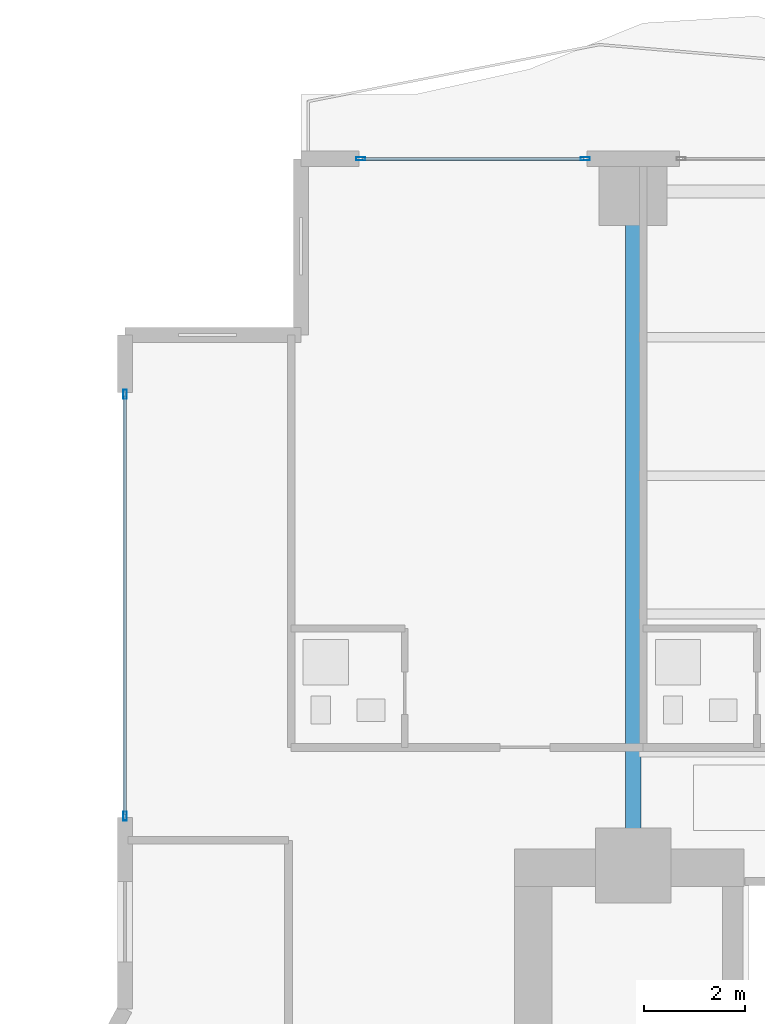
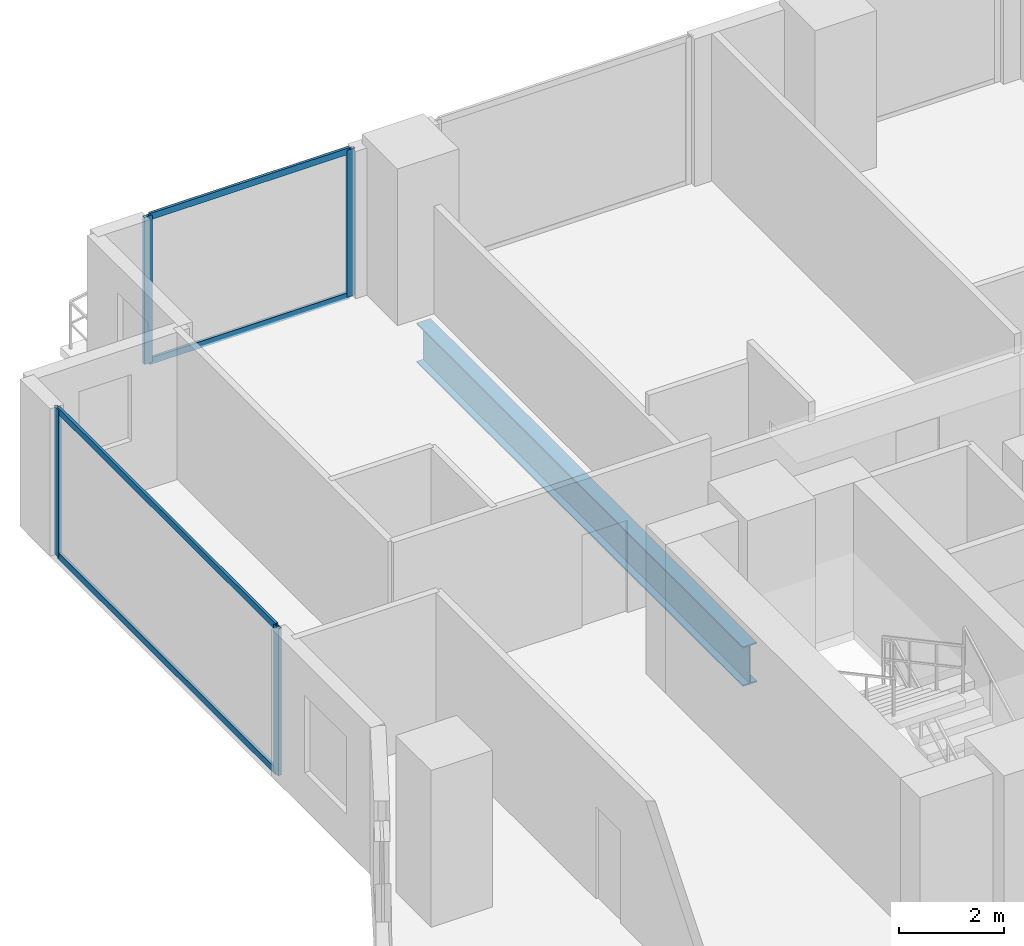
# One storey, part 14 of 30: 8 members, 1 beam, 2 elements without a shape of their own.
"""IFC4 building model written with IfcOpenShell, lengths in metres."""

from ifc_helpers import new_model, si_unit, direction, frame, origin, origin_2d, place, context, subcontext, project, spatial, hollow_rectangle, i_section, extrude, material, layer, layer_set, material_profile, profile_set, type_object, element, aggregate, save


model = new_model("IFC4")

# Units and contexts
model_context = context("Model", 3, precision=1e-05, world=origin(), true_north=direction((0.0, 1.0)))
body_context = subcontext(model_context, "Body", "Model", "MODEL_VIEW")
ifc_project = project(units=[si_unit("LENGTHUNIT", "METRE"), si_unit("AREAUNIT", "SQUARE_METRE"), si_unit("VOLUMEUNIT", "CUBIC_METRE"), si_unit("PLANEANGLEUNIT", "RADIAN"), si_unit("MASSUNIT", "GRAM", prefix="KILO")], contexts=[model_context])

# Site, building, storey
site_placement = place(None, origin())
site = spatial("IfcSite", under=ifc_project, at=site_placement, CompositionType="ELEMENT")
building_placement = place(site_placement, origin())
building = spatial("IfcBuilding", under=site, at=building_placement, Name="Zuhayl Quay Hotel", CompositionType="ELEMENT")
storey_placement = place(building_placement, frame((0.0, 0.0, 128.5)))
storey = spatial("IfcBuildingStorey", under=building, at=storey_placement, Name="L32", CompositionType="ELEMENT", Elevation=128.5)

# Beam
ifc_material_1 = material(Name="Steel ASTM A992 Grade 50", Category="steel")
ifc_material_profile_1 = material_profile(ifc_material_1, i_section(OverallWidth=0.306884765625, OverallDepth=0.927001953125, WebThickness=0.019287109375, FlangeThickness=0.031982421875, at=origin_2d()), Name="W36X194")
ifc_profile_set_1 = profile_set([ifc_material_profile_1], Name="Steel ASTM A992 Grade 50")
beam_type = type_object("IfcBeamType", Name="BM_PG2_W36X194", PredefinedType="BEAM", material=ifc_profile_set_1)
beam_placement = place(storey_placement, frame((-13.800048828125, 14.800048828125, -0.68359375), z_axis=(0.0, 1.0, 0.0), x_axis=(-1.0, 0.0, 0.0)))
element("IfcBeam", 1, at=beam_placement, inside=storey, type_object=beam_type, Name="L32 Floor Beam FG_N_L32_1", PredefinedType="BEAM", context=body_context, shape_type="SweptSolid", body=[
    extrude(i_section(OverallWidth=0.306884765625, OverallDepth=0.927001953125, WebThickness=0.019287109375, FlangeThickness=0.031982421875, at=origin_2d()), origin(), (0.0, 0.0, 1.0), 12.449951171875),
])

# Curtain wall, members
ifc_material_2 = material(Name="Anodised Aluminium 6063-T6", Category="aluminium")
ifc_layer = layer(ifc_material_2, 0.179931640625, Name="Anodised Aluminium 6063-T6", Category="aluminium")
ifc_layer_set = layer_set([ifc_layer], Name="Anodised Aluminium 6063-T6")
curtain_wall_type = type_object("IfcCurtainWallType", Name="CW_SYS_Z2", PredefinedType="USERDEFINED", material=ifc_layer_set)
curtain_wall_1_placement = place(storey_placement, origin())
curtain_wall_1 = element("IfcCurtainWall", 2, at=curtain_wall_1_placement, inside=storey, type_object=curtain_wall_type, Name="L32 Curtain Wall ENV_L32_E05_CW1", ObjectType="UNITISED CURTAIN WALL", PredefinedType="USERDEFINED")
ifc_material_3 = material(Name="Black-anodised aluminium 6063-T6", Category="aluminium")
ifc_material_profile_2 = material_profile(ifc_material_3, hollow_rectangle(XDim=0.06494140625, YDim=0.179931640625, WallThickness=0.00341796875, at=origin_2d()), Name="ALU180X65")
ifc_profile_set_2 = profile_set([ifc_material_profile_2], Name="Black-anodised aluminium 6063-T6")
member_type_1 = type_object("IfcMemberType", Name="MB_CW_MUL_180", PredefinedType="MULLION", material=ifc_profile_set_2)
member_1_placement = place(storey_placement, frame((-23.89990234375, 15.33251953125, 0.0), z_axis=(0.0, 0.0, 1.0), x_axis=(-1.0, 0.0, 0.0)))
member_1 = element("IfcMember", 3, at=member_1_placement, type_object=member_type_1, Name="CW-Z2 mullion 1", PredefinedType="MULLION", context=body_context, shape_type="SweptSolid", body=[
    extrude(hollow_rectangle(XDim=0.06494140625, YDim=0.179931640625, WallThickness=0.00341796875, at=origin_2d()), origin(), (0.0, 0.0, 1.0), 3.429931640625),
])
member_2_placement = place(storey_placement, frame((-23.89990234375, 23.717529296875, 0.0), z_axis=(0.0, 0.0, 1.0), x_axis=(-1.0, 0.0, 0.0)))
member_2 = element("IfcMember", 4, at=member_2_placement, type_object=member_type_1, Name="CW-Z2 mullion 2", PredefinedType="MULLION", context=body_context, shape_type="SweptSolid", body=[
    extrude(hollow_rectangle(XDim=0.06494140625, YDim=0.179931640625, WallThickness=0.00341796875, at=origin_2d()), origin(), (0.0, 0.0, 1.0), 3.429931640625),
])

curtain_wall_2_placement = place(storey_placement, origin())
curtain_wall_2 = element("IfcCurtainWall", 5, at=curtain_wall_2_placement, inside=storey, type_object=curtain_wall_type, Name="L32 Curtain Wall ENV_L32_N_CW1", ObjectType="UNITISED CURTAIN WALL", PredefinedType="USERDEFINED")
member_3_placement = place(storey_placement, frame((-19.217529296875, 28.39990234375, 0.0), z_axis=(0.0, 0.0, 1.0), x_axis=(0.0, 1.0, 0.0)))
member_3 = element("IfcMember", 6, at=member_3_placement, type_object=member_type_1, Name="CW-Z2 mullion 1", PredefinedType="MULLION", context=body_context, shape_type="SweptSolid", body=[
    extrude(hollow_rectangle(XDim=0.06494140625, YDim=0.179931640625, WallThickness=0.00341796875, at=origin_2d()), origin(), (0.0, 0.0, 1.0), 3.429931640625),
])
member_4_placement = place(storey_placement, frame((-14.75244140625, 28.39990234375, 0.0), z_axis=(0.0, 0.0, 1.0), x_axis=(0.0, 1.0, 0.0)))
member_4 = element("IfcMember", 7, at=member_4_placement, type_object=member_type_1, Name="CW-Z2 mullion 2", PredefinedType="MULLION", context=body_context, shape_type="SweptSolid", body=[
    extrude(hollow_rectangle(XDim=0.06494140625, YDim=0.179931640625, WallThickness=0.00341796875, at=origin_2d()), origin(), (0.0, 0.0, 1.0), 3.429931640625),
])

# Member
ifc_material_profile_3 = material_profile(ifc_material_3, hollow_rectangle(XDim=0.06005859375, YDim=0.14990234375, WallThickness=0.00341796875, at=origin_2d()), Name="ALU150X60")
ifc_profile_set_3 = profile_set([ifc_material_profile_3], Name="Black-anodised aluminium 6063-T6")
member_type_2 = type_object("IfcMemberType", Name="MB_CW_TRN_150", PredefinedType="USERDEFINED", material=ifc_profile_set_3)
member_5_placement = place(storey_placement, frame((-23.89990234375, 15.364990234375, 0.030029296875), z_axis=(0.0, 1.0, 0.0), x_axis=(-1.0, 0.0, 0.0)))
member_5 = element("IfcMember", 8, at=member_5_placement, type_object=member_type_2, Name="CW-Z2 transom 1.1", ObjectType="TRANSOM", PredefinedType="USERDEFINED", context=body_context, shape_type="SweptSolid", body=[
    extrude(hollow_rectangle(XDim=0.06005859375, YDim=0.14990234375, WallThickness=0.00341796875, at=origin_2d()), origin(), (0.0, 0.0, 1.0), 8.320068359375),
])

member_6_placement = place(storey_placement, frame((-23.89990234375, 15.364990234375, 3.39990234375), z_axis=(0.0, 1.0, 0.0), x_axis=(-1.0, 0.0, 0.0)))
member_6 = element("IfcMember", 9, at=member_6_placement, type_object=member_type_2, Name="CW-Z2 transom 1.2", ObjectType="TRANSOM", PredefinedType="USERDEFINED", context=body_context, shape_type="SweptSolid", body=[
    extrude(hollow_rectangle(XDim=0.06005859375, YDim=0.14990234375, WallThickness=0.00341796875, at=origin_2d()), origin(), (0.0, 0.0, 1.0), 8.320068359375),
])

aggregate(curtain_wall_1, [member_1, member_2, member_5, member_6])

member_7_placement = place(storey_placement, frame((-19.18505859375, 28.39990234375, 0.030029296875), z_axis=(1.0, 0.0, 0.0), x_axis=(0.0, 1.0, 0.0)))
member_7 = element("IfcMember", 10, at=member_7_placement, type_object=member_type_2, Name="CW-Z2 transom 1.1", ObjectType="TRANSOM", PredefinedType="USERDEFINED", context=body_context, shape_type="SweptSolid", body=[
    extrude(hollow_rectangle(XDim=0.06005859375, YDim=0.14990234375, WallThickness=0.00341796875, at=origin_2d()), origin(), (0.0, 0.0, 1.0), 4.400146484375),
])

member_8_placement = place(storey_placement, frame((-19.18505859375, 28.39990234375, 3.39990234375), z_axis=(1.0, 0.0, 0.0), x_axis=(0.0, 1.0, 0.0)))
member_8 = element("IfcMember", 11, at=member_8_placement, type_object=member_type_2, Name="CW-Z2 transom 1.2", ObjectType="TRANSOM", PredefinedType="USERDEFINED", context=body_context, shape_type="SweptSolid", body=[
    extrude(hollow_rectangle(XDim=0.06005859375, YDim=0.14990234375, WallThickness=0.00341796875, at=origin_2d()), origin(), (0.0, 0.0, 1.0), 4.400146484375),
])

aggregate(curtain_wall_2, [member_3, member_4, member_7, member_8])

save(model, "model.ifc")
